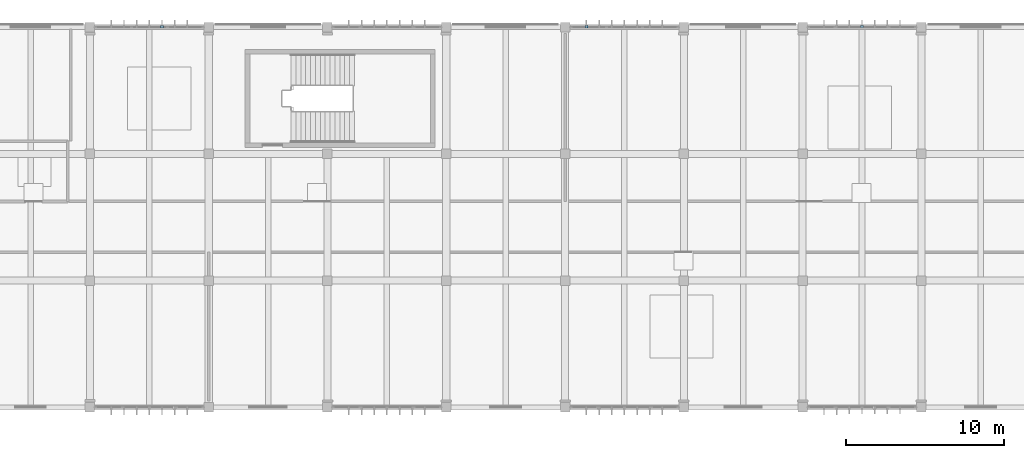
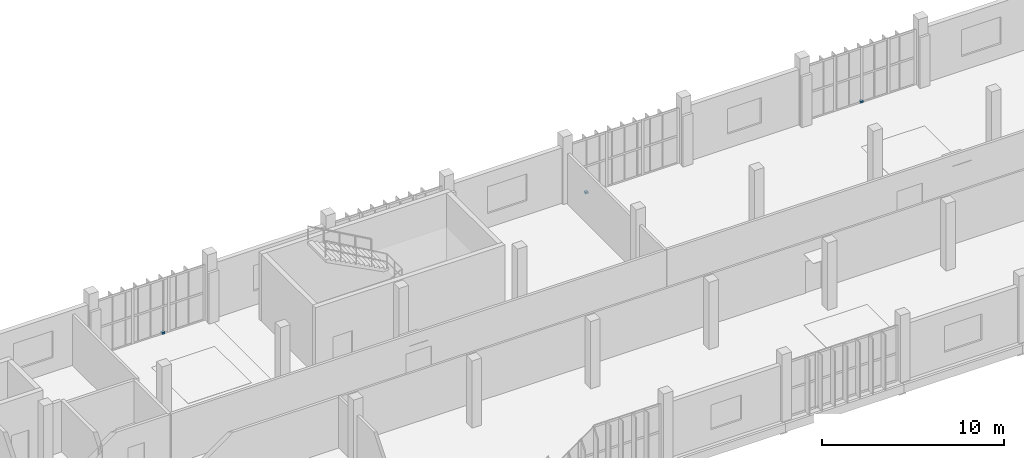
# One storey, part 63 of 81: 3 discrete accessories.
"""IFC4 building model written with IfcOpenShell, lengths in metres."""

import ifcopenshell
import ifcopenshell.guid

model = None  # the IFC model being written
_history = None  # IfcOwnerHistory: only IFC2X3 demands one
_inside = {}  # id of a spatial element -> (the spatial element, [elements in it])
_under = {}  # id of a project, library or spatial element -> (it, [spatial elements below it])
_declared = {}  # id of a project -> (the project, [libraries it declares])
_typed = {}  # id of a type object -> (the type object, [elements of that type])
_made_of = {}  # id of a material, layer set ... -> (it, [elements and type objects made of it])


def new_model(schema):
    """Start an empty IFC model of exactly this schema.

    Asked for "IFC4X3", IfcOpenShell would pick the latest addendum, in which some entities
    have other attributes; the version numbers below select the first issue.
    IFC2X3 requires an IfcOwnerHistory on every rooted entity: one is made here for all.
    """
    global model, _history
    if schema == "IFC4X3":
        model = ifcopenshell.file(schema_version=(4, 3, 0, 0))
    else:
        model = ifcopenshell.file(schema=schema)
    _inside.clear()
    _under.clear()
    _declared.clear()
    _typed.clear()
    _made_of.clear()
    _history = None
    if model.schema == "IFC2X3":
        org = make("IfcOrganization", Name="unknown")
        user = make(
            "IfcPersonAndOrganization",
            ThePerson=make("IfcPerson", FamilyName="unknown"),
            TheOrganization=org,
        )
        app = make(
            "IfcApplication",
            ApplicationDeveloper=org,
            Version="unknown",
            ApplicationFullName="unknown",
            ApplicationIdentifier="unknown",
        )
        _history = make(
            "IfcOwnerHistory",
            OwningUser=user,
            OwningApplication=app,
            ChangeAction="ADDED",
            CreationDate=0,
        )
    return model


def make(cls, **values):
    """One entity of the class cls with the attributes given. An attribute that is None is left unset."""
    return model.create_entity(
        cls, **{name: value for name, value in values.items() if value is not None}
    )


def rooted(cls, **values):
    """An entity with a GlobalId (a new one), such as an element, a storey or a relation."""
    return make(cls, GlobalId=ifcopenshell.guid.new(), OwnerHistory=_history, **values)


def si_unit(unit_type, name, prefix=None):
    """IfcSIUnit, for example si_unit("LENGTHUNIT", "METRE", prefix="MILLI")."""
    return make("IfcSIUnit", UnitType=unit_type, Prefix=prefix, Name=name)


def assignment(units):
    """IfcUnitAssignment: the units of a project."""
    return None if units is None else make("IfcUnitAssignment", Units=units)


def point(xyz):
    """IfcCartesianPoint."""
    return None if xyz is None else make("IfcCartesianPoint", Coordinates=xyz)


def direction(xyz):
    """IfcDirection."""
    return None if xyz is None else make("IfcDirection", DirectionRatios=xyz)


def frame(location, z_axis=None, x_axis=None):
    """IfcAxis2Placement3D, a coordinate frame: its origin and axes. An axis left out is left unset."""
    return make(
        "IfcAxis2Placement3D",
        Location=point(location),
        Axis=direction(z_axis),
        RefDirection=direction(x_axis),
    )


def frame_2d(location, x_axis=None):
    """IfcAxis2Placement2D, a coordinate frame in the plane: its origin and x axis."""
    return make(
        "IfcAxis2Placement2D", Location=point(location), RefDirection=direction(x_axis)
    )


def origin():
    """The frame at (0, 0, 0) with its axes left unset."""
    return frame((0.0, 0.0, 0.0))


def origin_2d():
    """The frame at (0, 0) in the plane with its x axis left unset."""
    return frame_2d((0.0, 0.0))


def place(relative_to, where):
    """IfcLocalPlacement: puts the frame where relative to a parent placement (None: the world)."""
    return make(
        "IfcLocalPlacement", PlacementRelTo=relative_to, RelativePlacement=where
    )


def context(
    kind, dimensions, precision=None, world=None, true_north=None, identifier=None
):
    """IfcGeometricRepresentationContext, for example the 3D "Model" context."""
    return make(
        "IfcGeometricRepresentationContext",
        ContextIdentifier=identifier,
        ContextType=kind,
        CoordinateSpaceDimension=dimensions,
        Precision=precision,
        WorldCoordinateSystem=world,
        TrueNorth=true_north,
    )


def subcontext(parent, identifier, kind, view, scale=None):
    """IfcGeometricRepresentationSubContext, for example "Body" below "Model"."""
    return make(
        "IfcGeometricRepresentationSubContext",
        ContextIdentifier=identifier,
        ContextType=kind,
        ParentContext=parent,
        TargetScale=scale,
        TargetView=view,
    )


def project(units=None, contexts=None):
    """IfcProject with its units and contexts."""
    return rooted(
        "IfcProject",
        Name="project",
        RepresentationContexts=contexts,
        UnitsInContext=assignment(units),
    )


def spatial(cls, under=None, at=None, **own):
    """A site, building, storey or space (cls), placed at a placement, below another one or the project."""
    s = rooted(cls, ObjectPlacement=at, **own)
    if under is not None:
        _under.setdefault(under.id(), (under, []))[1].append(s)
    return s


def profile(cls, at=None, kind="AREA", **sizes):
    """A parametric profile (cls). Its sizes go by their IFC names, for example OverallWidth=200.0."""
    return make(cls, ProfileType=kind, Position=at, **sizes)


def rectangle(**sizes):
    """IfcRectangleProfileDef."""
    return profile("IfcRectangleProfileDef", **sizes)


def extrude(swept, where, along, depth):
    """IfcExtrudedAreaSolid: the profile swept, set in the frame where, extruded along a direction by depth."""
    return make(
        "IfcExtrudedAreaSolid",
        SweptArea=swept,
        Position=where,
        ExtrudedDirection=direction(along),
        Depth=depth,
    )


def shape(context_of_items, identifier, shape_type, items):
    """IfcShapeRepresentation: the items that make up one representation, for example the "Body"."""
    return make(
        "IfcShapeRepresentation",
        ContextOfItems=context_of_items,
        RepresentationIdentifier=identifier,
        RepresentationType=shape_type,
        Items=items,
    )


def material(Name=None, Category=None):
    """IfcMaterial."""
    return make("IfcMaterial", Name=Name, Category=Category)


def made_of(thing, what):
    """Note that an element or type object is made of a material, layer set ...; save() writes the relation."""
    if what is not None:
        _made_of.setdefault(what.id(), (what, []))[1].append(thing)
    return thing


def type_object(cls, material=None, **own):
    """A type object (cls), such as IfcWallType, which elements share."""
    return made_of(rooted(cls, **own), material)


def element(
    cls,
    number,
    at=None,
    inside=None,
    cuts=None,
    type_object=None,
    material=None,
    context=None,
    identifier="Body",
    shape_type=None,
    held_by="IfcProductDefinitionShape",
    body=None,
    shapes=None,
    **own,
):
    """One element of the class cls, such as IfcWall. Its Tag is "e" and its number.

    at: its placement. inside: the storey or other place that contains it. cuts: it is an
    opening in that element (IfcRelVoidsElement). A single representation is given by context,
    identifier, shape_type and body (its items); several are given by shapes. held_by: the class
    of the entity that holds the representations. save() writes the other relations.
    """
    e = rooted(cls, Tag="e%d" % number, ObjectPlacement=at, **own)
    if body is not None:
        shapes = [shape(context, identifier, shape_type, body)]
    if shapes is not None:
        e.Representation = make(held_by, Representations=shapes)
    if inside is not None:
        _inside.setdefault(inside.id(), (inside, []))[1].append(e)
    if cuts is not None:
        rooted(
            "IfcRelVoidsElement", RelatingBuildingElement=cuts, RelatedOpeningElement=e
        )
    if type_object is not None:
        _typed.setdefault(type_object.id(), (type_object, []))[1].append(e)
    return made_of(e, material)


def aggregate(whole, parts):
    """IfcRelAggregates: a whole, such as a stair, and the parts it consists of."""
    return rooted("IfcRelAggregates", RelatingObject=whole, RelatedObjects=parts)


def save(model, path):
    """Write the relations noted so far, then the file.

    IfcRelAggregates (storeys below a building ...), IfcRelContainedInSpatialStructure (elements
    in a storey), IfcRelDefinesByType, IfcRelAssociatesMaterial and IfcRelDeclares: one each for
    every whole, place, type object, material and project.
    """
    for whole, parts in _under.values():
        aggregate(whole, parts)
    for where, things in _inside.values():
        rooted(
            "IfcRelContainedInSpatialStructure",
            RelatedElements=things,
            RelatingStructure=where,
        )
    for kind, things in _typed.values():
        rooted("IfcRelDefinesByType", RelatedObjects=things, RelatingType=kind)
    for what, things in _made_of.values():
        rooted("IfcRelAssociatesMaterial", RelatedObjects=things, RelatingMaterial=what)
    for by, libraries in _declared.values():
        rooted("IfcRelDeclares", RelatingContext=by, RelatedDefinitions=libraries)
    model.write(path)


model = new_model("IFC4")

# Units and contexts
model_context = context("Model", 3, precision=1e-05, world=origin(), true_north=direction((0.0, 1.0)))
body_context = subcontext(model_context, "Body", "Model", "MODEL_VIEW")
ifc_project = project(units=[si_unit("LENGTHUNIT", "METRE"), si_unit("AREAUNIT", "SQUARE_METRE"), si_unit("VOLUMEUNIT", "CUBIC_METRE"), si_unit("PLANEANGLEUNIT", "RADIAN"), si_unit("MASSUNIT", "GRAM", prefix="KILO")], contexts=[model_context])

# Site, building, storey
site_placement = place(None, origin())
site = spatial("IfcSite", under=ifc_project, at=site_placement, CompositionType="ELEMENT")
building_placement = place(site_placement, origin())
building = spatial("IfcBuilding", under=site, at=building_placement, Name="Vourika Railside Aquatics Centre", CompositionType="ELEMENT")
storey_placement = place(building_placement, frame((0.0, 0.0, 4.800048828125)))
storey = spatial("IfcBuildingStorey", under=building, at=storey_placement, Name="L01", CompositionType="ELEMENT", Elevation=4.800048828125)

# Discrete accessories
ifc_material = material(Name="Duplex stainless steel EN 1.4462", Category="steel")
discrete_accessory_type = type_object("IfcDiscreteAccessoryType", Name="ACC-BRK-180", PredefinedType="BRACKET", material=ifc_material)
for number, where, z_axis, x_axis, name in (
    (1, (70.550048828125, 116.030029296875, 0.0), (0.0, 0.0, 1.0), (0.0, 1.0, 0.0), "Stainless Fin Shoe Bracket BK-076"),
    (2, (97.35009765625, 116.030029296875, 0.0), (0.0, 0.0, 1.0), (0.0, 1.0, 0.0), "Stainless Fin Shoe Bracket BK-077"),
    (3, (114.75, 116.030029296875, 0.0), (0.0, 0.0, 1.0), (0.0, 1.0, 0.0), "Stainless Fin Shoe Bracket BK-078"),
):
    element("IfcDiscreteAccessory", number, at=place(storey_placement, frame(where, z_axis=z_axis, x_axis=x_axis)), inside=storey, type_object=discrete_accessory_type, Name=name, PredefinedType="BRACKET", context=body_context, shape_type="SweptSolid", body=[
        extrude(rectangle(XDim=0.179931640625, YDim=0.179931640625, at=origin_2d()), origin(), (0.0, 0.0, 1.0), 0.1201171875),
    ])

save(model, "model.ifc")
